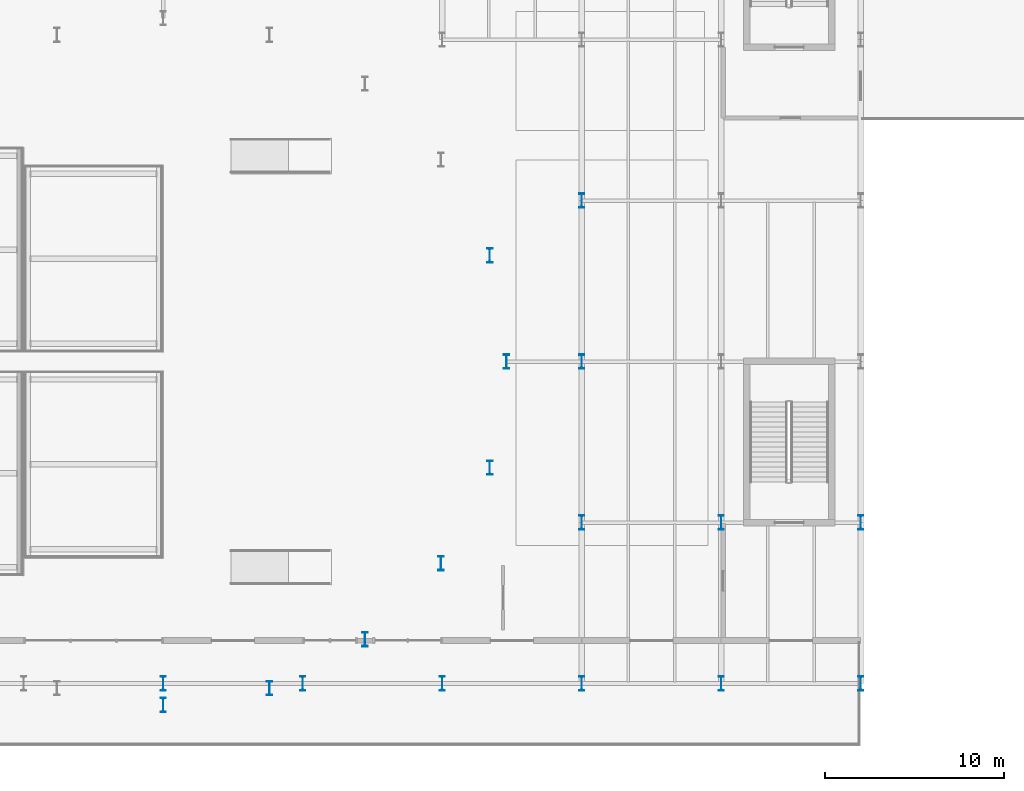
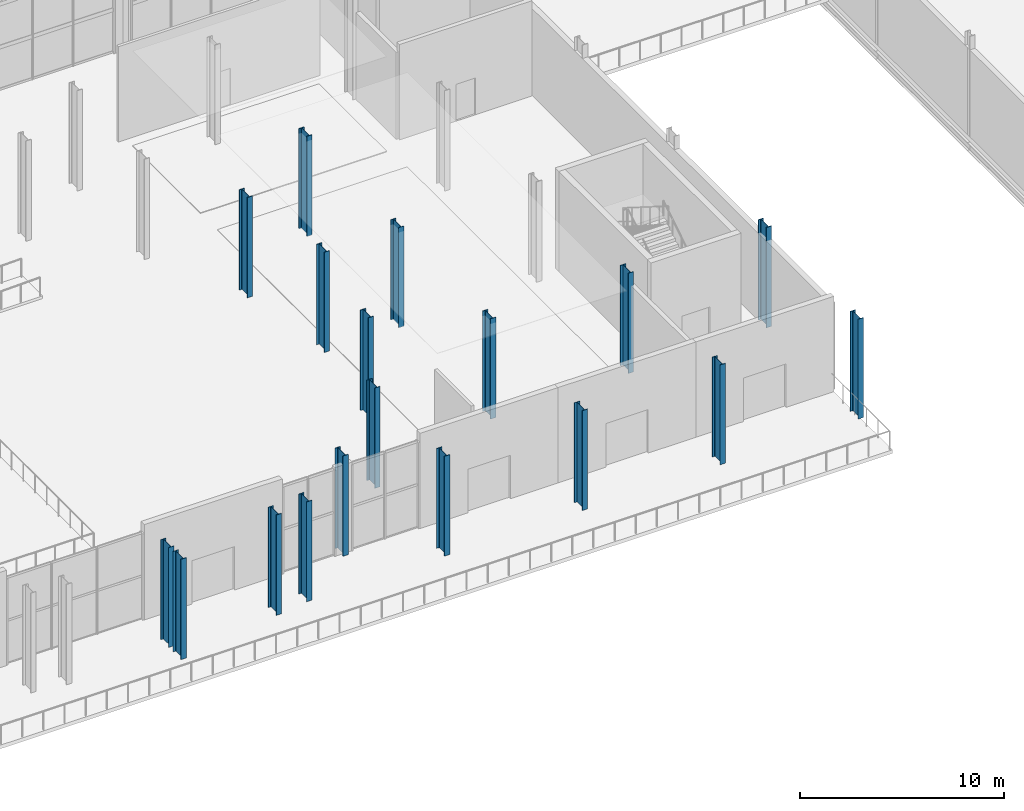
# One storey, part 4 of 84: 18 columns.
"""IFC4 building model written with IfcOpenShell, lengths in metres."""

import ifcopenshell
import ifcopenshell.guid

model = None  # the IFC model being written
_history = None  # IfcOwnerHistory: only IFC2X3 demands one
_inside = {}  # id of a spatial element -> (the spatial element, [elements in it])
_under = {}  # id of a project, library or spatial element -> (it, [spatial elements below it])
_declared = {}  # id of a project -> (the project, [libraries it declares])
_typed = {}  # id of a type object -> (the type object, [elements of that type])
_made_of = {}  # id of a material, layer set ... -> (it, [elements and type objects made of it])


def new_model(schema):
    """Start an empty IFC model of exactly this schema.

    Asked for "IFC4X3", IfcOpenShell would pick the latest addendum, in which some entities
    have other attributes; the version numbers below select the first issue.
    IFC2X3 requires an IfcOwnerHistory on every rooted entity: one is made here for all.
    """
    global model, _history
    if schema == "IFC4X3":
        model = ifcopenshell.file(schema_version=(4, 3, 0, 0))
    else:
        model = ifcopenshell.file(schema=schema)
    _inside.clear()
    _under.clear()
    _declared.clear()
    _typed.clear()
    _made_of.clear()
    _history = None
    if model.schema == "IFC2X3":
        org = make("IfcOrganization", Name="unknown")
        user = make(
            "IfcPersonAndOrganization",
            ThePerson=make("IfcPerson", FamilyName="unknown"),
            TheOrganization=org,
        )
        app = make(
            "IfcApplication",
            ApplicationDeveloper=org,
            Version="unknown",
            ApplicationFullName="unknown",
            ApplicationIdentifier="unknown",
        )
        _history = make(
            "IfcOwnerHistory",
            OwningUser=user,
            OwningApplication=app,
            ChangeAction="ADDED",
            CreationDate=0,
        )
    return model


def make(cls, **values):
    """One entity of the class cls with the attributes given. An attribute that is None is left unset."""
    return model.create_entity(
        cls, **{name: value for name, value in values.items() if value is not None}
    )


def rooted(cls, **values):
    """An entity with a GlobalId (a new one), such as an element, a storey or a relation."""
    return make(cls, GlobalId=ifcopenshell.guid.new(), OwnerHistory=_history, **values)


def si_unit(unit_type, name, prefix=None):
    """IfcSIUnit, for example si_unit("LENGTHUNIT", "METRE", prefix="MILLI")."""
    return make("IfcSIUnit", UnitType=unit_type, Prefix=prefix, Name=name)


def assignment(units):
    """IfcUnitAssignment: the units of a project."""
    return None if units is None else make("IfcUnitAssignment", Units=units)


def point(xyz):
    """IfcCartesianPoint."""
    return None if xyz is None else make("IfcCartesianPoint", Coordinates=xyz)


def direction(xyz):
    """IfcDirection."""
    return None if xyz is None else make("IfcDirection", DirectionRatios=xyz)


def frame(location, z_axis=None, x_axis=None):
    """IfcAxis2Placement3D, a coordinate frame: its origin and axes. An axis left out is left unset."""
    return make(
        "IfcAxis2Placement3D",
        Location=point(location),
        Axis=direction(z_axis),
        RefDirection=direction(x_axis),
    )


def frame_2d(location, x_axis=None):
    """IfcAxis2Placement2D, a coordinate frame in the plane: its origin and x axis."""
    return make(
        "IfcAxis2Placement2D", Location=point(location), RefDirection=direction(x_axis)
    )


def origin():
    """The frame at (0, 0, 0) with its axes left unset."""
    return frame((0.0, 0.0, 0.0))


def origin_2d():
    """The frame at (0, 0) in the plane with its x axis left unset."""
    return frame_2d((0.0, 0.0))


def place(relative_to, where):
    """IfcLocalPlacement: puts the frame where relative to a parent placement (None: the world)."""
    return make(
        "IfcLocalPlacement", PlacementRelTo=relative_to, RelativePlacement=where
    )


def context(
    kind, dimensions, precision=None, world=None, true_north=None, identifier=None
):
    """IfcGeometricRepresentationContext, for example the 3D "Model" context."""
    return make(
        "IfcGeometricRepresentationContext",
        ContextIdentifier=identifier,
        ContextType=kind,
        CoordinateSpaceDimension=dimensions,
        Precision=precision,
        WorldCoordinateSystem=world,
        TrueNorth=true_north,
    )


def subcontext(parent, identifier, kind, view, scale=None):
    """IfcGeometricRepresentationSubContext, for example "Body" below "Model"."""
    return make(
        "IfcGeometricRepresentationSubContext",
        ContextIdentifier=identifier,
        ContextType=kind,
        ParentContext=parent,
        TargetScale=scale,
        TargetView=view,
    )


def project(units=None, contexts=None):
    """IfcProject with its units and contexts."""
    return rooted(
        "IfcProject",
        Name="project",
        RepresentationContexts=contexts,
        UnitsInContext=assignment(units),
    )


def spatial(cls, under=None, at=None, **own):
    """A site, building, storey or space (cls), placed at a placement, below another one or the project."""
    s = rooted(cls, ObjectPlacement=at, **own)
    if under is not None:
        _under.setdefault(under.id(), (under, []))[1].append(s)
    return s


def profile(cls, at=None, kind="AREA", **sizes):
    """A parametric profile (cls). Its sizes go by their IFC names, for example OverallWidth=200.0."""
    return make(cls, ProfileType=kind, Position=at, **sizes)


def i_section(**sizes):
    """IfcIShapeProfileDef."""
    return profile("IfcIShapeProfileDef", **sizes)


def extrude(swept, where, along, depth):
    """IfcExtrudedAreaSolid: the profile swept, set in the frame where, extruded along a direction by depth."""
    return make(
        "IfcExtrudedAreaSolid",
        SweptArea=swept,
        Position=where,
        ExtrudedDirection=direction(along),
        Depth=depth,
    )


def shape(context_of_items, identifier, shape_type, items):
    """IfcShapeRepresentation: the items that make up one representation, for example the "Body"."""
    return make(
        "IfcShapeRepresentation",
        ContextOfItems=context_of_items,
        RepresentationIdentifier=identifier,
        RepresentationType=shape_type,
        Items=items,
    )


def material(Name=None, Category=None):
    """IfcMaterial."""
    return make("IfcMaterial", Name=Name, Category=Category)


def material_profile(
    of_material, cross_section, Name=None, Category=None, Priority=None
):
    """IfcMaterialProfile: a cross section and its material."""
    return make(
        "IfcMaterialProfile",
        Name=Name,
        Material=of_material,
        Profile=cross_section,
        Priority=Priority,
        Category=Category,
    )


def profile_set(profiles, Name=None, composite=None):
    """IfcMaterialProfileSet."""
    return make(
        "IfcMaterialProfileSet",
        Name=Name,
        MaterialProfiles=profiles,
        CompositeProfile=composite,
    )


def made_of(thing, what):
    """Note that an element or type object is made of a material, layer set ...; save() writes the relation."""
    if what is not None:
        _made_of.setdefault(what.id(), (what, []))[1].append(thing)
    return thing


def type_object(cls, material=None, **own):
    """A type object (cls), such as IfcWallType, which elements share."""
    return made_of(rooted(cls, **own), material)


def element(
    cls,
    number,
    at=None,
    inside=None,
    cuts=None,
    type_object=None,
    material=None,
    context=None,
    identifier="Body",
    shape_type=None,
    held_by="IfcProductDefinitionShape",
    body=None,
    shapes=None,
    **own,
):
    """One element of the class cls, such as IfcWall. Its Tag is "e" and its number.

    at: its placement. inside: the storey or other place that contains it. cuts: it is an
    opening in that element (IfcRelVoidsElement). A single representation is given by context,
    identifier, shape_type and body (its items); several are given by shapes. held_by: the class
    of the entity that holds the representations. save() writes the other relations.
    """
    e = rooted(cls, Tag="e%d" % number, ObjectPlacement=at, **own)
    if body is not None:
        shapes = [shape(context, identifier, shape_type, body)]
    if shapes is not None:
        e.Representation = make(held_by, Representations=shapes)
    if inside is not None:
        _inside.setdefault(inside.id(), (inside, []))[1].append(e)
    if cuts is not None:
        rooted(
            "IfcRelVoidsElement", RelatingBuildingElement=cuts, RelatedOpeningElement=e
        )
    if type_object is not None:
        _typed.setdefault(type_object.id(), (type_object, []))[1].append(e)
    return made_of(e, material)


def aggregate(whole, parts):
    """IfcRelAggregates: a whole, such as a stair, and the parts it consists of."""
    return rooted("IfcRelAggregates", RelatingObject=whole, RelatedObjects=parts)


def save(model, path):
    """Write the relations noted so far, then the file.

    IfcRelAggregates (storeys below a building ...), IfcRelContainedInSpatialStructure (elements
    in a storey), IfcRelDefinesByType, IfcRelAssociatesMaterial and IfcRelDeclares: one each for
    every whole, place, type object, material and project.
    """
    for whole, parts in _under.values():
        aggregate(whole, parts)
    for where, things in _inside.values():
        rooted(
            "IfcRelContainedInSpatialStructure",
            RelatedElements=things,
            RelatingStructure=where,
        )
    for kind, things in _typed.values():
        rooted("IfcRelDefinesByType", RelatedObjects=things, RelatingType=kind)
    for what, things in _made_of.values():
        rooted("IfcRelAssociatesMaterial", RelatedObjects=things, RelatingMaterial=what)
    for by, libraries in _declared.values():
        rooted("IfcRelDeclares", RelatingContext=by, RelatedDefinitions=libraries)
    model.write(path)


model = new_model("IFC4")

# Units and contexts
model_context = context("Model", 3, precision=1e-05, world=origin(), true_north=direction((0.0, 1.0)))
body_context = subcontext(model_context, "Body", "Model", "MODEL_VIEW")
ifc_project = project(units=[si_unit("LENGTHUNIT", "METRE"), si_unit("AREAUNIT", "SQUARE_METRE"), si_unit("VOLUMEUNIT", "CUBIC_METRE"), si_unit("PLANEANGLEUNIT", "RADIAN"), si_unit("MASSUNIT", "GRAM", prefix="KILO")], contexts=[model_context])

# Site, building, storey
site_placement = place(None, origin())
site = spatial("IfcSite", under=ifc_project, at=site_placement, CompositionType="ELEMENT")
building_placement = place(site_placement, origin())
building = spatial("IfcBuilding", under=site, at=building_placement, Name="Sefraquen Railside Congress Hotel", CompositionType="ELEMENT")
storey_placement = place(building_placement, origin())
storey = spatial("IfcBuildingStorey", under=building, at=storey_placement, Name="L00", CompositionType="ELEMENT", Elevation=0.0)

# Columns
ifc_material = material(Name="Steel S355JR", Category="steel")
ifc_material_profile = material_profile(ifc_material, i_section(OverallWidth=0.300048828125, OverallDepth=0.800048828125, WebThickness=0.017578125, FlangeThickness=0.032958984375, FilletRadius=0.030029296875, at=origin_2d()), Name="HEB 800")
ifc_profile_set = profile_set([ifc_material_profile], Name="Steel S355JR")
column_type = type_object("IfcColumnType", Name="TC-HEB-800", PredefinedType="COLUMN", material=ifc_profile_set)
for number, where, z_axis, x_axis, name in (
    (1, (64.199951171875, 9.0, 0.0), (0.0, 0.0, 1.0), (1.0, 0.0, 0.0), "Structural column 9-B L00"),
    (2, (72.0, 9.0, 0.0), (0.0, 0.0, 1.0), (1.0, 0.0, 0.0), "Structural column 10-B L00"),
    (3, (79.800048828125, 9.0, 0.0), (0.0, 0.0, 1.0), (1.0, 0.0, 0.0), "Structural column 11-B L00"),
    (4, (87.60009765625, 9.0, 0.0), (0.0, 0.0, 1.0), (1.0, 0.0, 0.0), "Structural column 12-B L00"),
    (5, (95.39990234375, 9.0, 0.0), (0.0, 0.0, 1.0), (1.0, 0.0, 0.0), "Structural column 13-B L00"),
    (6, (103.199951171875, 9.0, 0.0), (0.0, 0.0, 1.0), (1.0, 0.0, 0.0), "Structural column 14-B L00"),
):
    element("IfcColumn", number, at=place(storey_placement, frame(where, z_axis=z_axis, x_axis=x_axis)), inside=storey, type_object=column_type, Name=name, PredefinedType="COLUMN", context=body_context, shape_type="SweptSolid", body=[
        extrude(i_section(OverallWidth=0.300048828125, OverallDepth=0.800048828125, WebThickness=0.017578125, FlangeThickness=0.032958984375, FilletRadius=0.030029296875, at=origin_2d()), origin(), (0.0, 0.0, 1.0), 5.969970703125),
    ])
for number, where, z_axis, x_axis, name in (
    (7, (87.60009765625, 18.0, 0.0), (0.0, 0.0, 1.0), (1.0, 0.0, 0.0), "Structural column 12-C L00"),
    (8, (87.60009765625, 27.0, 0.0), (0.0, 0.0, 1.0), (1.0, 0.0, 0.0), "Structural column 12-D L00"),
    (9, (87.60009765625, 36.0, 0.0), (0.0, 0.0, 1.0), (1.0, 0.0, 0.0), "Structural column 12-E L00"),
    (10, (95.39990234375, 18.0, 0.0), (0.0, 0.0, 1.0), (1.0, 0.0, 0.0), "Structural column 13-C L00"),
    (11, (103.199951171875, 18.0, 0.0), (0.0, 0.0, 1.0), (1.0, 0.0, 0.0), "Structural column 14-C L00"),
    (12, (83.39990234375, 27.0, 0.0), (0.0, 0.0, 1.0), (1.0, 0.0, 0.0), "Structural column DRM-01 L00"),
    (13, (82.460205078125, 32.93310546875, 0.0), (0.0, 0.0, 1.0), (1.0, 0.0, 0.0), "Structural column DRM-02 L00"),
    (14, (64.199951171875, 7.800048828125, 0.0), (0.0, 0.0, 1.0), (1.0, 0.0, 0.0), "Structural column DRM-16 L00"),
    (15, (70.133056640625, 8.73974609375, 0.0), (0.0, 0.0, 1.0), (1.0, 0.0, 0.0), "Structural column DRM-17 L00"),
    (16, (75.485595703125, 11.466796875, 0.0), (0.0, 0.0, 1.0), (1.0, 0.0, 0.0), "Structural column DRM-18 L00"),
    (17, (79.733154296875, 15.714599609375, 0.0), (0.0, 0.0, 1.0), (1.0, 0.0, 0.0), "Structural column DRM-19 L00"),
    (18, (82.460205078125, 21.06689453125, 0.0), (0.0, 0.0, 1.0), (1.0, 0.0, 0.0), "Structural column DRM-20 L00"),
):
    element("IfcColumn", number, at=place(storey_placement, frame(where, z_axis=z_axis, x_axis=x_axis)), inside=storey, type_object=column_type, Name=name, PredefinedType="COLUMN", context=body_context, shape_type="SweptSolid", body=[
        extrude(i_section(OverallWidth=0.300048828125, OverallDepth=0.800048828125, WebThickness=0.017578125, FlangeThickness=0.032958984375, FilletRadius=0.030029296875, at=origin_2d()), origin(), (0.0, 0.0, 1.0), 6.0),
    ])

save(model, "model.ifc")
